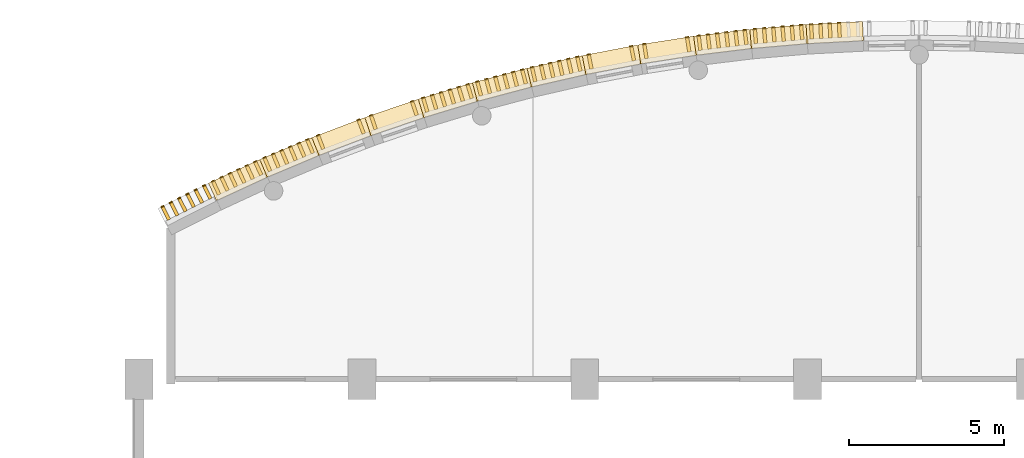
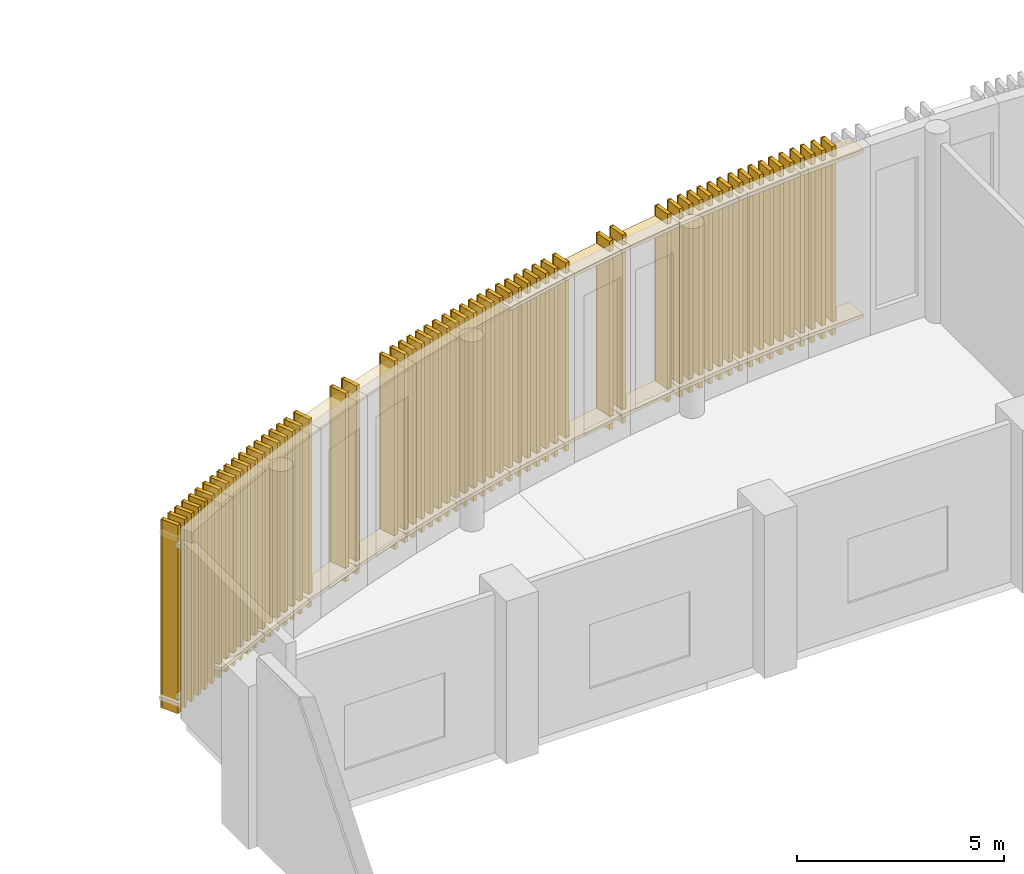
# One storey, part 72 of 80: 84 coverings, 60 shading devices.
"""IFC4 building model written with IfcOpenShell, lengths in metres."""

from ifc_helpers import new_model, si_unit, direction, frame, origin, origin_2d, place, context, subcontext, project, spatial, rectangle, extrude, material, layer, layer_set, type_object, element, save


model = new_model("IFC4")

# Units and contexts
model_context = context("Model", 3, precision=1e-05, world=origin(), true_north=direction((0.0, 1.0)))
body_context = subcontext(model_context, "Body", "Model", "MODEL_VIEW")
ifc_project = project(units=[si_unit("LENGTHUNIT", "METRE"), si_unit("AREAUNIT", "SQUARE_METRE"), si_unit("VOLUMEUNIT", "CUBIC_METRE"), si_unit("PLANEANGLEUNIT", "RADIAN"), si_unit("MASSUNIT", "GRAM", prefix="KILO")], contexts=[model_context])

# Site, building, storey
site_placement = place(None, origin())
site = spatial("IfcSite", under=ifc_project, at=site_placement, CompositionType="ELEMENT")
building_placement = place(site_placement, origin())
building = spatial("IfcBuilding", under=site, at=building_placement, Name="Sardonyx Promenade Sports Hall", CompositionType="ELEMENT")
storey_placement = place(building_placement, frame((0.0, 0.0, 5.60009765625)))
storey = spatial("IfcBuildingStorey", under=building, at=storey_placement, Name="L01", CompositionType="ELEMENT", Elevation=5.60009765625)

# Coverings
ifc_material_1 = material(Name="Glulam GL28h", Category="wood")
ifc_layer = layer(ifc_material_1, 0.110107421875)
ifc_layer_set = layer_set([ifc_layer], Name="Cov_Louvre_GL28h")
covering_type = type_object("IfcCoveringType", Name="Cov_Louvre_GL28h", PredefinedType="MOLDING", material=ifc_layer_set)
for number, where, z_axis, x_axis, name in (
    (1, (29.5517578125, 109.984619140625, 0.019775390625), (0.0, 0.0, 1.0), (0.892773817004, 0.450505173857, 0.0), "Timber louvre nose molding L01 CH01 #1"),
    (2, (29.819580078125, 110.119873046875, 0.019775390625), (0.0, 0.0, 1.0), (0.892773817004, 0.450505173857, 0.0), "Timber louvre nose molding L01 CH01 #2"),
    (3, (30.08740234375, 110.2548828125, 0.019775390625), (0.0, 0.0, 1.0), (0.892773817004, 0.450505173857, 0.0), "Timber louvre nose molding L01 CH01 #3"),
    (4, (30.355224609375, 110.39013671875, 0.019775390625), (0.0, 0.0, 1.0), (0.892773817004, 0.450505173857, 0.0), "Timber louvre nose molding L01 CH01 #4"),
    (5, (30.623046875, 110.525390625, 0.019775390625), (0.0, 0.0, 1.0), (0.892773817004, 0.450505173857, 0.0), "Timber louvre nose molding L01 CH01 #5"),
    (6, (30.890869140625, 110.660400390625, 0.019775390625), (0.0, 0.0, 1.0), (0.892773817004, 0.450505173857, 0.0), "Timber louvre nose molding L01 CH01 #6"),
):
    element("IfcCovering", number, at=place(storey_placement, frame(where, z_axis=z_axis, x_axis=x_axis)), inside=storey, type_object=covering_type, Name=name, PredefinedType="MOLDING", context=body_context, shape_type="SweptSolid", body=[
        extrude(rectangle(XDim=0.110107421875, YDim=0.0400390625, at=origin_2d()), origin(), (0.0, 0.0, 1.0), 5.56005859375),
    ])
for number, where, z_axis, x_axis, name in (
    (7, (31.99658203125, 110.8359375, 0.31982421875), (0.0, 0.0, 1.0), (0.90783091315, 0.419336419989, 0.0), "Bowed louvre carrier rail L01 CH02 #1"),
    (8, (31.99658203125, 110.8359375, 5.179931640625), (0.0, 0.0, 1.0), (0.90783091315, 0.419336419989, 0.0), "Bowed louvre carrier rail L01 CH02 #2"),
):
    element("IfcCovering", number, at=place(storey_placement, frame(where, z_axis=z_axis, x_axis=x_axis)), inside=storey, type_object=covering_type, Name=name, PredefinedType="MOLDING", context=body_context, shape_type="SweptSolid", body=[
        extrude(rectangle(XDim=1.820068359375, YDim=0.6201171875, at=origin_2d()), origin(), (0.0, 0.0, 1.0), 0.10009765625),
    ])
for number, where, z_axis, x_axis, name in (
    (9, (31.185546875, 110.802734375, 0.019775390625), (0.0, 0.0, 1.0), (0.90783091315, 0.419336419989, 0.0), "Timber louvre nose molding L01 CH02 #1"),
    (10, (31.4580078125, 110.9287109375, 0.019775390625), (0.0, 0.0, 1.0), (0.90783091315, 0.419336419989, 0.0), "Timber louvre nose molding L01 CH02 #2"),
    (11, (31.730224609375, 111.054443359375, 0.019775390625), (0.0, 0.0, 1.0), (0.90783091315, 0.419336419989, 0.0), "Timber louvre nose molding L01 CH02 #3"),
    (12, (32.002685546875, 111.18017578125, 0.019775390625), (0.0, 0.0, 1.0), (0.90783091315, 0.419336419989, 0.0), "Timber louvre nose molding L01 CH02 #4"),
    (13, (32.275146484375, 111.30615234375, 0.019775390625), (0.0, 0.0, 1.0), (0.90783091315, 0.419336419989, 0.0), "Timber louvre nose molding L01 CH02 #5"),
    (14, (32.54736328125, 111.431884765625, 0.019775390625), (0.0, 0.0, 1.0), (0.90783091315, 0.419336419989, 0.0), "Timber louvre nose molding L01 CH02 #6"),
):
    element("IfcCovering", number, at=place(storey_placement, frame(where, z_axis=z_axis, x_axis=x_axis)), inside=storey, type_object=covering_type, Name=name, PredefinedType="MOLDING", context=body_context, shape_type="SweptSolid", body=[
        extrude(rectangle(XDim=0.110107421875, YDim=0.0400390625, at=origin_2d()), origin(), (0.0, 0.0, 1.0), 5.56005859375),
    ])
for number, where, z_axis, x_axis, name in (
    (15, (33.658447265625, 111.56884765625, 0.31982421875), (0.0, 0.0, 1.0), (0.921800239612, 0.387665214136, 0.0), "Bowed louvre carrier rail L01 CH03 #1"),
    (16, (33.658447265625, 111.56884765625, 5.179931640625), (0.0, 0.0, 1.0), (0.921800239612, 0.387665214136, 0.0), "Bowed louvre carrier rail L01 CH03 #2"),
):
    element("IfcCovering", number, at=place(storey_placement, frame(where, z_axis=z_axis, x_axis=x_axis)), inside=storey, type_object=covering_type, Name=name, PredefinedType="MOLDING", context=body_context, shape_type="SweptSolid", body=[
        extrude(rectangle(XDim=1.820068359375, YDim=0.6201171875, at=origin_2d()), origin(), (0.0, 0.0, 1.0), 0.10009765625),
    ])
for number, where, z_axis, x_axis, name in (
    (17, (32.846923828125, 111.56396484375, 0.019775390625), (0.0, 0.0, 1.0), (0.921800239612, 0.387665214136, 0.0), "Timber louvre nose molding L01 CH03 #1"),
    (18, (33.123291015625, 111.68017578125, 0.019775390625), (0.0, 0.0, 1.0), (0.921800239612, 0.387665214136, 0.0), "Timber louvre nose molding L01 CH03 #2"),
    (19, (33.39990234375, 111.796630859375, 0.019775390625), (0.0, 0.0, 1.0), (0.921800239612, 0.387665214136, 0.0), "Timber louvre nose molding L01 CH03 #3"),
    (20, (33.676513671875, 111.912841796875, 0.019775390625), (0.0, 0.0, 1.0), (0.921800239612, 0.387665214136, 0.0), "Timber louvre nose molding L01 CH03 #4"),
    (21, (33.953125, 112.029052734375, 0.019775390625), (0.0, 0.0, 1.0), (0.921800239612, 0.387665214136, 0.0), "Timber louvre nose molding L01 CH03 #5"),
    (22, (34.2294921875, 112.1455078125, 0.019775390625), (0.0, 0.0, 1.0), (0.921800239612, 0.387665214136, 0.0), "Timber louvre nose molding L01 CH03 #6"),
):
    element("IfcCovering", number, at=place(storey_placement, frame(where, z_axis=z_axis, x_axis=x_axis)), inside=storey, type_object=covering_type, Name=name, PredefinedType="MOLDING", context=body_context, shape_type="SweptSolid", body=[
        extrude(rectangle(XDim=0.110107421875, YDim=0.0400390625, at=origin_2d()), origin(), (0.0, 0.0, 1.0), 5.56005859375),
    ])
for number, where, z_axis, x_axis, name in (
    (23, (35.3447265625, 112.243896484375, 0.31982421875), (0.0, 0.0, 1.0), (0.934665678755, 0.355527873671, 0.0), "Bowed louvre carrier rail L01 CH04 #1"),
    (24, (35.3447265625, 112.243896484375, 5.179931640625), (0.0, 0.0, 1.0), (0.934665678755, 0.355527873671, 0.0), "Bowed louvre carrier rail L01 CH04 #2"),
):
    element("IfcCovering", number, at=place(storey_placement, frame(where, z_axis=z_axis, x_axis=x_axis)), inside=storey, type_object=covering_type, Name=name, PredefinedType="MOLDING", context=body_context, shape_type="SweptSolid", body=[
        extrude(rectangle(XDim=1.820068359375, YDim=0.6201171875, at=origin_2d()), origin(), (0.0, 0.0, 1.0), 0.10009765625),
    ])
for number, where, z_axis, x_axis, name in (
    (25, (34.580078125, 112.284912109375, 0.019775390625), (0.0, 0.0, 1.0), (0.934665678755, 0.355527873671, 0.0), "Timber louvre nose molding L01 CH04 #1"),
    (26, (35.888671875, 112.782470703125, 0.019775390625), (0.0, 0.0, 1.0), (0.934665678755, 0.355527873671, 0.0), "Timber louvre nose molding L01 CH04 #2"),
):
    element("IfcCovering", number, at=place(storey_placement, frame(where, z_axis=z_axis, x_axis=x_axis)), inside=storey, type_object=covering_type, Name=name, PredefinedType="MOLDING", context=body_context, shape_type="SweptSolid", body=[
        extrude(rectangle(XDim=0.110107421875, YDim=0.0400390625, at=origin_2d()), origin(), (0.0, 0.0, 1.0), 5.56005859375),
    ])
for number, where, z_axis, x_axis, name in (
    (27, (37.05322265625, 112.8603515625, 0.31982421875), (0.0, 0.0, 1.0), (0.946410517999, 0.322966145935, 0.0), "Bowed louvre carrier rail L01 CH05 #1"),
    (28, (37.05322265625, 112.8603515625, 5.179931640625), (0.0, 0.0, 1.0), (0.946410517999, 0.322966145935, 0.0), "Bowed louvre carrier rail L01 CH05 #2"),
):
    element("IfcCovering", number, at=place(storey_placement, frame(where, z_axis=z_axis, x_axis=x_axis)), inside=storey, type_object=covering_type, Name=name, PredefinedType="MOLDING", context=body_context, shape_type="SweptSolid", body=[
        extrude(rectangle(XDim=1.820068359375, YDim=0.6201171875, at=origin_2d()), origin(), (0.0, 0.0, 1.0), 0.10009765625),
    ])
for number, where, z_axis, x_axis, name in (
    (29, (36.29052734375, 112.927490234375, 0.019775390625), (0.0, 0.0, 1.0), (0.946410517999, 0.322966145935, 0.0), "Timber louvre nose molding L01 CH05 #1"),
    (30, (37.615478515625, 113.379638671875, 0.019775390625), (0.0, 0.0, 1.0), (0.946410517999, 0.322966145935, 0.0), "Timber louvre nose molding L01 CH05 #2"),
):
    element("IfcCovering", number, at=place(storey_placement, frame(where, z_axis=z_axis, x_axis=x_axis)), inside=storey, type_object=covering_type, Name=name, PredefinedType="MOLDING", context=body_context, shape_type="SweptSolid", body=[
        extrude(rectangle(XDim=0.110107421875, YDim=0.0400390625, at=origin_2d()), origin(), (0.0, 0.0, 1.0), 5.56005859375),
    ])
for number, where, z_axis, x_axis, name in (
    (31, (38.7822265625, 113.4169921875, 0.31982421875), (0.0, 0.0, 1.0), (0.957021361193, 0.290017437786, 0.0), "Bowed louvre carrier rail L01 CH06 #1"),
    (32, (38.7822265625, 113.4169921875, 5.179931640625), (0.0, 0.0, 1.0), (0.957021361193, 0.290017437786, 0.0), "Bowed louvre carrier rail L01 CH06 #2"),
):
    element("IfcCovering", number, at=place(storey_placement, frame(where, z_axis=z_axis, x_axis=x_axis)), inside=storey, type_object=covering_type, Name=name, PredefinedType="MOLDING", context=body_context, shape_type="SweptSolid", body=[
        extrude(rectangle(XDim=1.820068359375, YDim=0.6201171875, at=origin_2d()), origin(), (0.0, 0.0, 1.0), 0.10009765625),
    ])
for number, where, z_axis, x_axis, name in (
    (33, (37.974365234375, 113.49609375, 0.019775390625), (0.0, 0.0, 1.0), (0.957021361193, 0.290017437786, 0.0), "Timber louvre nose molding L01 CH06 #1"),
    (34, (38.261474609375, 113.583251953125, 0.019775390625), (0.0, 0.0, 1.0), (0.957021361193, 0.290017437786, 0.0), "Timber louvre nose molding L01 CH06 #2"),
    (35, (38.548583984375, 113.670166015625, 0.019775390625), (0.0, 0.0, 1.0), (0.957021361193, 0.290017437786, 0.0), "Timber louvre nose molding L01 CH06 #3"),
    (36, (38.835693359375, 113.757080078125, 0.019775390625), (0.0, 0.0, 1.0), (0.957021361193, 0.290017437786, 0.0), "Timber louvre nose molding L01 CH06 #4"),
    (37, (39.122802734375, 113.84423828125, 0.019775390625), (0.0, 0.0, 1.0), (0.957021361193, 0.290017437786, 0.0), "Timber louvre nose molding L01 CH06 #5"),
    (38, (39.409912109375, 113.93115234375, 0.019775390625), (0.0, 0.0, 1.0), (0.957021361193, 0.290017437786, 0.0), "Timber louvre nose molding L01 CH06 #6"),
):
    element("IfcCovering", number, at=place(storey_placement, frame(where, z_axis=z_axis, x_axis=x_axis)), inside=storey, type_object=covering_type, Name=name, PredefinedType="MOLDING", context=body_context, shape_type="SweptSolid", body=[
        extrude(rectangle(XDim=0.110107421875, YDim=0.0400390625, at=origin_2d()), origin(), (0.0, 0.0, 1.0), 5.56005859375),
    ])
for number, where, z_axis, x_axis, name in (
    (39, (40.529296875, 113.91357421875, 0.31982421875), (0.0, 0.0, 1.0), (0.966485494347, 0.256721228607, 0.0), "Bowed louvre carrier rail L01 CH07 #1"),
    (40, (40.529296875, 113.91357421875, 5.179931640625), (0.0, 0.0, 1.0), (0.966485494347, 0.256721228607, 0.0), "Bowed louvre carrier rail L01 CH07 #2"),
):
    element("IfcCovering", number, at=place(storey_placement, frame(where, z_axis=z_axis, x_axis=x_axis)), inside=storey, type_object=covering_type, Name=name, PredefinedType="MOLDING", context=body_context, shape_type="SweptSolid", body=[
        extrude(rectangle(XDim=1.820068359375, YDim=0.6201171875, at=origin_2d()), origin(), (0.0, 0.0, 1.0), 0.10009765625),
    ])
for number, where, z_axis, x_axis, name in (
    (41, (39.724853515625, 114.020751953125, 0.019775390625), (0.0, 0.0, 1.0), (0.966485494347, 0.256721228607, 0.0), "Timber louvre nose molding L01 CH07 #1"),
    (42, (40.0146484375, 114.09765625, 0.019775390625), (0.0, 0.0, 1.0), (0.966485494347, 0.256721228607, 0.0), "Timber louvre nose molding L01 CH07 #2"),
    (43, (40.3046875, 114.1748046875, 0.019775390625), (0.0, 0.0, 1.0), (0.966485494347, 0.256721228607, 0.0), "Timber louvre nose molding L01 CH07 #3"),
    (44, (40.5947265625, 114.251708984375, 0.019775390625), (0.0, 0.0, 1.0), (0.966485494347, 0.256721228607, 0.0), "Timber louvre nose molding L01 CH07 #4"),
    (45, (40.884521484375, 114.328857421875, 0.019775390625), (0.0, 0.0, 1.0), (0.966485494347, 0.256721228607, 0.0), "Timber louvre nose molding L01 CH07 #5"),
    (46, (41.174560546875, 114.40576171875, 0.019775390625), (0.0, 0.0, 1.0), (0.966485494347, 0.256721228607, 0.0), "Timber louvre nose molding L01 CH07 #6"),
):
    element("IfcCovering", number, at=place(storey_placement, frame(where, z_axis=z_axis, x_axis=x_axis)), inside=storey, type_object=covering_type, Name=name, PredefinedType="MOLDING", context=body_context, shape_type="SweptSolid", body=[
        extrude(rectangle(XDim=0.110107421875, YDim=0.0400390625, at=origin_2d()), origin(), (0.0, 0.0, 1.0), 5.56005859375),
    ])
for number, where, z_axis, x_axis, name in (
    (47, (42.29248046875, 114.349365234375, 0.31982421875), (0.0, 0.0, 1.0), (0.974791577465, 0.223117414163, 0.0), "Bowed louvre carrier rail L01 CH08 #1"),
    (48, (42.29248046875, 114.349365234375, 5.179931640625), (0.0, 0.0, 1.0), (0.974791577465, 0.223117414163, 0.0), "Bowed louvre carrier rail L01 CH08 #2"),
):
    element("IfcCovering", number, at=place(storey_placement, frame(where, z_axis=z_axis, x_axis=x_axis)), inside=storey, type_object=covering_type, Name=name, PredefinedType="MOLDING", context=body_context, shape_type="SweptSolid", body=[
        extrude(rectangle(XDim=1.820068359375, YDim=0.6201171875, at=origin_2d()), origin(), (0.0, 0.0, 1.0), 0.10009765625),
    ])
for number, where, z_axis, x_axis, name in (
    (49, (41.4921875, 114.484375, 0.019775390625), (0.0, 0.0, 1.0), (0.974791577465, 0.223117414163, 0.0), "Timber louvre nose molding L01 CH08 #1"),
    (50, (41.78466796875, 114.55126953125, 0.019775390625), (0.0, 0.0, 1.0), (0.974791577465, 0.223117414163, 0.0), "Timber louvre nose molding L01 CH08 #2"),
    (51, (42.0771484375, 114.6181640625, 0.019775390625), (0.0, 0.0, 1.0), (0.974791577465, 0.223117414163, 0.0), "Timber louvre nose molding L01 CH08 #3"),
    (52, (42.36962890625, 114.68505859375, 0.019775390625), (0.0, 0.0, 1.0), (0.974791577465, 0.223117414163, 0.0), "Timber louvre nose molding L01 CH08 #4"),
    (53, (42.662109375, 114.751953125, 0.019775390625), (0.0, 0.0, 1.0), (0.974791577465, 0.223117414163, 0.0), "Timber louvre nose molding L01 CH08 #5"),
    (54, (42.95458984375, 114.819091796875, 0.019775390625), (0.0, 0.0, 1.0), (0.974791577465, 0.223117414163, 0.0), "Timber louvre nose molding L01 CH08 #6"),
):
    element("IfcCovering", number, at=place(storey_placement, frame(where, z_axis=z_axis, x_axis=x_axis)), inside=storey, type_object=covering_type, Name=name, PredefinedType="MOLDING", context=body_context, shape_type="SweptSolid", body=[
        extrude(rectangle(XDim=0.110107421875, YDim=0.0400390625, at=origin_2d()), origin(), (0.0, 0.0, 1.0), 5.56005859375),
    ])
for number, where, z_axis, x_axis, name in (
    (55, (44.06982421875, 114.72412109375, 0.31982421875), (0.0, 0.0, 1.0), (0.981929658139, 0.18924625879, 0.0), "Bowed louvre carrier rail L01 CH09 #1"),
    (56, (44.06982421875, 114.72412109375, 5.179931640625), (0.0, 0.0, 1.0), (0.981929658139, 0.18924625879, 0.0), "Bowed louvre carrier rail L01 CH09 #2"),
):
    element("IfcCovering", number, at=place(storey_placement, frame(where, z_axis=z_axis, x_axis=x_axis)), inside=storey, type_object=covering_type, Name=name, PredefinedType="MOLDING", context=body_context, shape_type="SweptSolid", body=[
        extrude(rectangle(XDim=1.820068359375, YDim=0.6201171875, at=origin_2d()), origin(), (0.0, 0.0, 1.0), 0.10009765625),
    ])
for number, where, z_axis, x_axis, name in (
    (57, (43.32373046875, 114.89599609375, 0.019775390625), (0.0, 0.0, 1.0), (0.981929658139, 0.18924625879, 0.0), "Timber louvre nose molding L01 CH09 #1"),
    (58, (44.698486328125, 115.160888671875, 0.019775390625), (0.0, 0.0, 1.0), (0.981929658139, 0.18924625879, 0.0), "Timber louvre nose molding L01 CH09 #2"),
):
    element("IfcCovering", number, at=place(storey_placement, frame(where, z_axis=z_axis, x_axis=x_axis)), inside=storey, type_object=covering_type, Name=name, PredefinedType="MOLDING", context=body_context, shape_type="SweptSolid", body=[
        extrude(rectangle(XDim=0.110107421875, YDim=0.0400390625, at=origin_2d()), origin(), (0.0, 0.0, 1.0), 5.56005859375),
    ])
for number, where, z_axis, x_axis, name in (
    (59, (45.859130859375, 115.036865234375, 0.31982421875), (0.0, 0.0, 1.0), (0.987891183468, 0.155148347157, 0.0), "Bowed louvre carrier rail L01 CH10 #1"),
    (60, (45.859130859375, 115.036865234375, 5.179931640625), (0.0, 0.0, 1.0), (0.987891183468, 0.155148347157, 0.0), "Bowed louvre carrier rail L01 CH10 #2"),
):
    element("IfcCovering", number, at=place(storey_placement, frame(where, z_axis=z_axis, x_axis=x_axis)), inside=storey, type_object=covering_type, Name=name, PredefinedType="MOLDING", context=body_context, shape_type="SweptSolid", body=[
        extrude(rectangle(XDim=1.820068359375, YDim=0.6201171875, at=origin_2d()), origin(), (0.0, 0.0, 1.0), 0.10009765625),
    ])
for number, where, z_axis, x_axis, name in (
    (61, (45.119384765625, 115.234375, 0.019775390625), (0.0, 0.0, 1.0), (0.987891183468, 0.155148347157, 0.0), "Timber louvre nose molding L01 CH10 #1"),
    (62, (46.50244140625, 115.45166015625, 0.019775390625), (0.0, 0.0, 1.0), (0.987891183468, 0.155148347157, 0.0), "Timber louvre nose molding L01 CH10 #2"),
):
    element("IfcCovering", number, at=place(storey_placement, frame(where, z_axis=z_axis, x_axis=x_axis)), inside=storey, type_object=covering_type, Name=name, PredefinedType="MOLDING", context=body_context, shape_type="SweptSolid", body=[
        extrude(rectangle(XDim=0.110107421875, YDim=0.0400390625, at=origin_2d()), origin(), (0.0, 0.0, 1.0), 5.56005859375),
    ])
for number, where, z_axis, x_axis, name in (
    (63, (47.657958984375, 115.28759765625, 0.31982421875), (0.0, 0.0, 1.0), (0.992669221255, 0.120862803098, 0.0), "Bowed louvre carrier rail L01 CH11 #1"),
    (64, (47.657958984375, 115.28759765625, 5.179931640625), (0.0, 0.0, 1.0), (0.992669221255, 0.120862803098, 0.0), "Bowed louvre carrier rail L01 CH11 #2"),
):
    element("IfcCovering", number, at=place(storey_placement, frame(where, z_axis=z_axis, x_axis=x_axis)), inside=storey, type_object=covering_type, Name=name, PredefinedType="MOLDING", context=body_context, shape_type="SweptSolid", body=[
        extrude(rectangle(XDim=1.820068359375, YDim=0.6201171875, at=origin_2d()), origin(), (0.0, 0.0, 1.0), 0.10009765625),
    ])
for number, where, z_axis, x_axis, name in (
    (65, (46.8759765625, 115.504638671875, 0.019775390625), (0.0, 0.0, 1.0), (0.992669221255, 0.120862803098, 0.0), "Timber louvre nose molding L01 CH11 #1"),
    (66, (47.173828125, 115.540771484375, 0.019775390625), (0.0, 0.0, 1.0), (0.992669221255, 0.120862803098, 0.0), "Timber louvre nose molding L01 CH11 #2"),
    (67, (47.4716796875, 115.5771484375, 0.019775390625), (0.0, 0.0, 1.0), (0.992669221255, 0.120862803098, 0.0), "Timber louvre nose molding L01 CH11 #3"),
    (68, (47.76953125, 115.61328125, 0.019775390625), (0.0, 0.0, 1.0), (0.992669221255, 0.120862803098, 0.0), "Timber louvre nose molding L01 CH11 #4"),
    (69, (48.067138671875, 115.649658203125, 0.019775390625), (0.0, 0.0, 1.0), (0.992669221255, 0.120862803098, 0.0), "Timber louvre nose molding L01 CH11 #5"),
    (70, (48.364990234375, 115.68603515625, 0.019775390625), (0.0, 0.0, 1.0), (0.992669221255, 0.120862803098, 0.0), "Timber louvre nose molding L01 CH11 #6"),
):
    element("IfcCovering", number, at=place(storey_placement, frame(where, z_axis=z_axis, x_axis=x_axis)), inside=storey, type_object=covering_type, Name=name, PredefinedType="MOLDING", context=body_context, shape_type="SweptSolid", body=[
        extrude(rectangle(XDim=0.110107421875, YDim=0.0400390625, at=origin_2d()), origin(), (0.0, 0.0, 1.0), 5.56005859375),
    ])
for number, where, z_axis, x_axis, name in (
    (71, (49.464599609375, 115.475830078125, 0.31982421875), (0.0, 0.0, 1.0), (0.99625756469, 0.086434164533, 0.0), "Bowed louvre carrier rail L01 CH12 #1"),
    (72, (49.464599609375, 115.475830078125, 5.179931640625), (0.0, 0.0, 1.0), (0.99625756469, 0.086434164533, 0.0), "Bowed louvre carrier rail L01 CH12 #2"),
):
    element("IfcCovering", number, at=place(storey_placement, frame(where, z_axis=z_axis, x_axis=x_axis)), inside=storey, type_object=covering_type, Name=name, PredefinedType="MOLDING", context=body_context, shape_type="SweptSolid", body=[
        extrude(rectangle(XDim=1.820068359375, YDim=0.6201171875, at=origin_2d()), origin(), (0.0, 0.0, 1.0), 0.10009765625),
    ])
for number, where, z_axis, x_axis, name in (
    (73, (48.690673828125, 115.7197265625, 0.019775390625), (0.0, 0.0, 1.0), (0.99625756469, 0.086434164533, 0.0), "Timber louvre nose molding L01 CH12 #1"),
    (74, (48.989501953125, 115.745849609375, 0.019775390625), (0.0, 0.0, 1.0), (0.99625756469, 0.086434164533, 0.0), "Timber louvre nose molding L01 CH12 #2"),
    (75, (49.288330078125, 115.771728515625, 0.019775390625), (0.0, 0.0, 1.0), (0.99625756469, 0.086434164533, 0.0), "Timber louvre nose molding L01 CH12 #3"),
    (76, (49.587158203125, 115.797607421875, 0.019775390625), (0.0, 0.0, 1.0), (0.99625756469, 0.086434164533, 0.0), "Timber louvre nose molding L01 CH12 #4"),
    (77, (49.885986328125, 115.823486328125, 0.019775390625), (0.0, 0.0, 1.0), (0.99625756469, 0.086434164533, 0.0), "Timber louvre nose molding L01 CH12 #5"),
    (78, (50.18505859375, 115.849609375, 0.019775390625), (0.0, 0.0, 1.0), (0.99625756469, 0.086434164533, 0.0), "Timber louvre nose molding L01 CH12 #6"),
):
    element("IfcCovering", number, at=place(storey_placement, frame(where, z_axis=z_axis, x_axis=x_axis)), inside=storey, type_object=covering_type, Name=name, PredefinedType="MOLDING", context=body_context, shape_type="SweptSolid", body=[
        extrude(rectangle(XDim=0.110107421875, YDim=0.0400390625, at=origin_2d()), origin(), (0.0, 0.0, 1.0), 5.56005859375),
    ])
for number, where, z_axis, x_axis, name in (
    (79, (51.276611328125, 115.6015625, 0.31982421875), (0.0, 0.0, 1.0), (0.998652184976, 0.051901959917, 0.0), "Bowed louvre carrier rail L01 CH13 #1"),
    (80, (51.276611328125, 115.6015625, 5.179931640625), (0.0, 0.0, 1.0), (0.998652184976, 0.051901959917, 0.0), "Bowed louvre carrier rail L01 CH13 #2"),
):
    element("IfcCovering", number, at=place(storey_placement, frame(where, z_axis=z_axis, x_axis=x_axis)), inside=storey, type_object=covering_type, Name=name, PredefinedType="MOLDING", context=body_context, shape_type="SweptSolid", body=[
        extrude(rectangle(XDim=1.820068359375, YDim=0.6201171875, at=origin_2d()), origin(), (0.0, 0.0, 1.0), 0.10009765625),
    ])
for number, where, z_axis, x_axis, name in (
    (81, (50.511474609375, 115.8720703125, 0.019775390625), (0.0, 0.0, 1.0), (0.998652184976, 0.051901959917, 0.0), "Timber louvre nose molding L01 CH13 #1"),
    (82, (50.81103515625, 115.8876953125, 0.019775390625), (0.0, 0.0, 1.0), (0.998652184976, 0.051901959917, 0.0), "Timber louvre nose molding L01 CH13 #2"),
    (83, (51.110595703125, 115.9033203125, 0.019775390625), (0.0, 0.0, 1.0), (0.998652184976, 0.051901959917, 0.0), "Timber louvre nose molding L01 CH13 #3"),
    (84, (51.41015625, 115.9189453125, 0.019775390625), (0.0, 0.0, 1.0), (0.998652184976, 0.051901959917, 0.0), "Timber louvre nose molding L01 CH13 #4"),
):
    element("IfcCovering", number, at=place(storey_placement, frame(where, z_axis=z_axis, x_axis=x_axis)), inside=storey, type_object=covering_type, Name=name, PredefinedType="MOLDING", context=body_context, shape_type="SweptSolid", body=[
        extrude(rectangle(XDim=0.110107421875, YDim=0.0400390625, at=origin_2d()), origin(), (0.0, 0.0, 1.0), 5.56005859375),
    ])

# Shading devices
ifc_material_2 = material(Name="Glulam GL28h", Category="wood")
shading_device_type_1 = type_object("IfcShadingDeviceType", Name="Shade_Fin_GL28h", PredefinedType="USERDEFINED", material=ifc_material_2)
for number, where, z_axis, x_axis, name in (
    (85, (34.669025, 112.051168, 0.019902), (0.0, 0.0, 1.0), (0.93466568, 0.35552787, 0.0), "Timber fin TF01 L01 CH04 #1"),
    (86, (35.977557, 112.548908, 0.019902), (0.0, 0.0, 1.0), (0.93466568, 0.35552787, 0.0), "Timber fin TF01 L01 CH04 #2"),
    (87, (36.371355, 112.690949, 0.019902), (0.0, 0.0, 1.0), (0.94641052, 0.32296615, 0.0), "Timber fin TF01 L01 CH05 #1"),
    (88, (37.696329, 113.143102, 0.019902), (0.0, 0.0, 1.0), (0.94641052, 0.32296615, 0.0), "Timber fin TF01 L01 CH05 #2"),
    (89, (43.371143, 114.650467, 0.019902), (0.0, 0.0, 1.0), (0.98192966, 0.18924626, 0.0), "Timber fin TF01 L01 CH09 #1"),
    (90, (44.745845, 114.915412, 0.019902), (0.0, 0.0, 1.0), (0.98192966, 0.18924626, 0.0), "Timber fin TF01 L01 CH09 #2"),
    (91, (45.158221, 114.98751, 0.019902), (0.0, 0.0, 1.0), (0.98789118, 0.15514835, 0.0), "Timber fin TF01 L01 CH10 #1"),
    (92, (46.541269, 115.204717, 0.019902), (0.0, 0.0, 1.0), (0.98789118, 0.15514835, 0.0), "Timber fin TF01 L01 CH10 #2"),
):
    element("IfcShadingDevice", number, at=place(storey_placement, frame(where, z_axis=z_axis, x_axis=x_axis)), inside=storey, type_object=shading_device_type_1, material=ifc_material_2, Name=name, ObjectType="FIN", PredefinedType="USERDEFINED", context=body_context, shape_type="SweptSolid", body=[
        extrude(rectangle(XDim=0.11, YDim=0.46), origin(), (0.0, 0.0, 1.0), 5.56),
    ])
shading_device_type_2 = type_object("IfcShadingDeviceType", Name="Shade_Louvre_GL28h", PredefinedType="USERDEFINED", material=ifc_material_2)
for number, where, z_axis, x_axis, name in (
    (93, (29.66439, 109.761506, 0.019902), (0.0, 0.0, 1.0), (0.89277382, 0.45050517, 0.0), "Timber louvre TL01 L01 CH01 #1"),
    (94, (29.932223, 109.896657, 0.019902), (0.0, 0.0, 1.0), (0.89277382, 0.45050517, 0.0), "Timber louvre TL01 L01 CH01 #2"),
    (95, (30.200055, 110.031809, 0.019902), (0.0, 0.0, 1.0), (0.89277382, 0.45050517, 0.0), "Timber louvre TL01 L01 CH01 #3"),
    (96, (30.467887, 110.16696, 0.019902), (0.0, 0.0, 1.0), (0.89277382, 0.45050517, 0.0), "Timber louvre TL01 L01 CH01 #4"),
    (97, (30.735719, 110.302112, 0.019902), (0.0, 0.0, 1.0), (0.89277382, 0.45050517, 0.0), "Timber louvre TL01 L01 CH01 #5"),
    (98, (31.003551, 110.437263, 0.019902), (0.0, 0.0, 1.0), (0.89277382, 0.45050517, 0.0), "Timber louvre TL01 L01 CH01 #6"),
    (99, (31.290473, 110.57587, 0.019902), (0.0, 0.0, 1.0), (0.90783091, 0.41933642, 0.0), "Timber louvre TL01 L01 CH02 #1"),
    (100, (31.562822, 110.701671, 0.019902), (0.0, 0.0, 1.0), (0.90783091, 0.41933642, 0.0), "Timber louvre TL01 L01 CH02 #2"),
    (101, (31.835172, 110.827472, 0.019902), (0.0, 0.0, 1.0), (0.90783091, 0.41933642, 0.0), "Timber louvre TL01 L01 CH02 #3"),
    (102, (32.107521, 110.953273, 0.019902), (0.0, 0.0, 1.0), (0.90783091, 0.41933642, 0.0), "Timber louvre TL01 L01 CH02 #4"),
    (103, (32.37987, 111.079073, 0.019902), (0.0, 0.0, 1.0), (0.90783091, 0.41933642, 0.0), "Timber louvre TL01 L01 CH02 #5"),
    (104, (32.65222, 111.204874, 0.019902), (0.0, 0.0, 1.0), (0.90783091, 0.41933642, 0.0), "Timber louvre TL01 L01 CH02 #6"),
    (105, (32.943767, 111.333468, 0.019902), (0.0, 0.0, 1.0), (0.92180024, 0.38766521, 0.0), "Timber louvre TL01 L01 CH03 #1"),
    (106, (33.220307, 111.449767, 0.019902), (0.0, 0.0, 1.0), (0.92180024, 0.38766521, 0.0), "Timber louvre TL01 L01 CH03 #2"),
    (107, (33.496847, 111.566067, 0.019902), (0.0, 0.0, 1.0), (0.92180024, 0.38766521, 0.0), "Timber louvre TL01 L01 CH03 #3"),
    (108, (33.773387, 111.682366, 0.019902), (0.0, 0.0, 1.0), (0.92180024, 0.38766521, 0.0), "Timber louvre TL01 L01 CH03 #4"),
    (109, (34.049927, 111.798666, 0.019902), (0.0, 0.0, 1.0), (0.92180024, 0.38766521, 0.0), "Timber louvre TL01 L01 CH03 #5"),
    (110, (34.326468, 111.914965, 0.019902), (0.0, 0.0, 1.0), (0.92180024, 0.38766521, 0.0), "Timber louvre TL01 L01 CH03 #6"),
    (111, (38.046957, 113.256928, 0.019902), (0.0, 0.0, 1.0), (0.95702136, 0.29001744, 0.0), "Timber louvre TL01 L01 CH06 #1"),
    (112, (38.334063, 113.343933, 0.019902), (0.0, 0.0, 1.0), (0.95702136, 0.29001744, 0.0), "Timber louvre TL01 L01 CH06 #2"),
    (113, (38.621169, 113.430939, 0.019902), (0.0, 0.0, 1.0), (0.95702136, 0.29001744, 0.0), "Timber louvre TL01 L01 CH06 #3"),
    (114, (38.908276, 113.517944, 0.019902), (0.0, 0.0, 1.0), (0.95702136, 0.29001744, 0.0), "Timber louvre TL01 L01 CH06 #4"),
    (115, (39.195382, 113.60495, 0.019902), (0.0, 0.0, 1.0), (0.95702136, 0.29001744, 0.0), "Timber louvre TL01 L01 CH06 #5"),
    (116, (39.482488, 113.691955, 0.019902), (0.0, 0.0, 1.0), (0.95702136, 0.29001744, 0.0), "Timber louvre TL01 L01 CH06 #6"),
    (117, (39.788994, 113.779076, 0.019902), (0.0, 0.0, 1.0), (0.96648549, 0.25672123, 0.0), "Timber louvre TL01 L01 CH07 #1"),
    (118, (40.07894, 113.856093, 0.019902), (0.0, 0.0, 1.0), (0.96648549, 0.25672123, 0.0), "Timber louvre TL01 L01 CH07 #2"),
    (119, (40.368885, 113.933109, 0.019902), (0.0, 0.0, 1.0), (0.96648549, 0.25672123, 0.0), "Timber louvre TL01 L01 CH07 #3"),
    (120, (40.658831, 114.010126, 0.019902), (0.0, 0.0, 1.0), (0.96648549, 0.25672123, 0.0), "Timber louvre TL01 L01 CH07 #4"),
    (121, (40.948777, 114.087142, 0.019902), (0.0, 0.0, 1.0), (0.96648549, 0.25672123, 0.0), "Timber louvre TL01 L01 CH07 #5"),
    (122, (41.238722, 114.164159, 0.019902), (0.0, 0.0, 1.0), (0.96648549, 0.25672123, 0.0), "Timber louvre TL01 L01 CH07 #6"),
    (123, (41.54806, 114.24062, 0.019902), (0.0, 0.0, 1.0), (0.97479158, 0.22311741, 0.0), "Timber louvre TL01 L01 CH08 #1"),
    (124, (41.840498, 114.307555, 0.019902), (0.0, 0.0, 1.0), (0.97479158, 0.22311741, 0.0), "Timber louvre TL01 L01 CH08 #2"),
    (125, (42.132935, 114.37449, 0.019902), (0.0, 0.0, 1.0), (0.97479158, 0.22311741, 0.0), "Timber louvre TL01 L01 CH08 #3"),
    (126, (42.425373, 114.441426, 0.019902), (0.0, 0.0, 1.0), (0.97479158, 0.22311741, 0.0), "Timber louvre TL01 L01 CH08 #4"),
    (127, (42.71781, 114.508361, 0.019902), (0.0, 0.0, 1.0), (0.97479158, 0.22311741, 0.0), "Timber louvre TL01 L01 CH08 #5"),
    (128, (43.010248, 114.575296, 0.019902), (0.0, 0.0, 1.0), (0.97479158, 0.22311741, 0.0), "Timber louvre TL01 L01 CH08 #6"),
    (129, (46.906262, 115.256456, 0.019902), (0.0, 0.0, 1.0), (0.99266922, 0.1208628, 0.0), "Timber louvre TL01 L01 CH11 #1"),
    (130, (47.204063, 115.292715, 0.019902), (0.0, 0.0, 1.0), (0.99266922, 0.1208628, 0.0), "Timber louvre TL01 L01 CH11 #2"),
    (131, (47.501864, 115.328974, 0.019902), (0.0, 0.0, 1.0), (0.99266922, 0.1208628, 0.0), "Timber louvre TL01 L01 CH11 #3"),
    (132, (47.799664, 115.365233, 0.019902), (0.0, 0.0, 1.0), (0.99266922, 0.1208628, 0.0), "Timber louvre TL01 L01 CH11 #4"),
    (133, (48.097465, 115.401492, 0.019902), (0.0, 0.0, 1.0), (0.99266922, 0.1208628, 0.0), "Timber louvre TL01 L01 CH11 #5"),
    (134, (48.395266, 115.437751, 0.019902), (0.0, 0.0, 1.0), (0.99266922, 0.1208628, 0.0), "Timber louvre TL01 L01 CH11 #6"),
    (135, (48.712196, 115.470783, 0.019902), (0.0, 0.0, 1.0), (0.99625756, 0.08643416, 0.0), "Timber louvre TL01 L01 CH12 #1"),
    (136, (49.011073, 115.496714, 0.019902), (0.0, 0.0, 1.0), (0.99625756, 0.08643416, 0.0), "Timber louvre TL01 L01 CH12 #2"),
    (137, (49.30995, 115.522644, 0.019902), (0.0, 0.0, 1.0), (0.99625756, 0.08643416, 0.0), "Timber louvre TL01 L01 CH12 #3"),
    (138, (49.608827, 115.548575, 0.019902), (0.0, 0.0, 1.0), (0.99625756, 0.08643416, 0.0), "Timber louvre TL01 L01 CH12 #4"),
    (139, (49.907705, 115.574505, 0.019902), (0.0, 0.0, 1.0), (0.99625756, 0.08643416, 0.0), "Timber louvre TL01 L01 CH12 #5"),
    (140, (50.206582, 115.600436, 0.019902), (0.0, 0.0, 1.0), (0.99625756, 0.08643416, 0.0), "Timber louvre TL01 L01 CH12 #6"),
    (141, (50.524467, 115.62248, 0.019902), (0.0, 0.0, 1.0), (0.99865218, 0.05190196, 0.0), "Timber louvre TL01 L01 CH13 #1"),
    (142, (50.824062, 115.63805, 0.019902), (0.0, 0.0, 1.0), (0.99865218, 0.05190196, 0.0), "Timber louvre TL01 L01 CH13 #2"),
    (143, (51.123658, 115.653621, 0.019902), (0.0, 0.0, 1.0), (0.99865218, 0.05190196, 0.0), "Timber louvre TL01 L01 CH13 #3"),
    (144, (51.423254, 115.669192, 0.019902), (0.0, 0.0, 1.0), (0.99865218, 0.05190196, 0.0), "Timber louvre TL01 L01 CH13 #4"),
):
    element("IfcShadingDevice", number, at=place(storey_placement, frame(where, z_axis=z_axis, x_axis=x_axis)), inside=storey, type_object=shading_device_type_2, material=ifc_material_2, Name=name, ObjectType="LOUVRE", PredefinedType="USERDEFINED", context=body_context, shape_type="SweptSolid", body=[
        extrude(rectangle(XDim=0.11, YDim=0.46), origin(), (0.0, 0.0, 1.0), 5.56),
    ])

save(model, "model.ifc")
